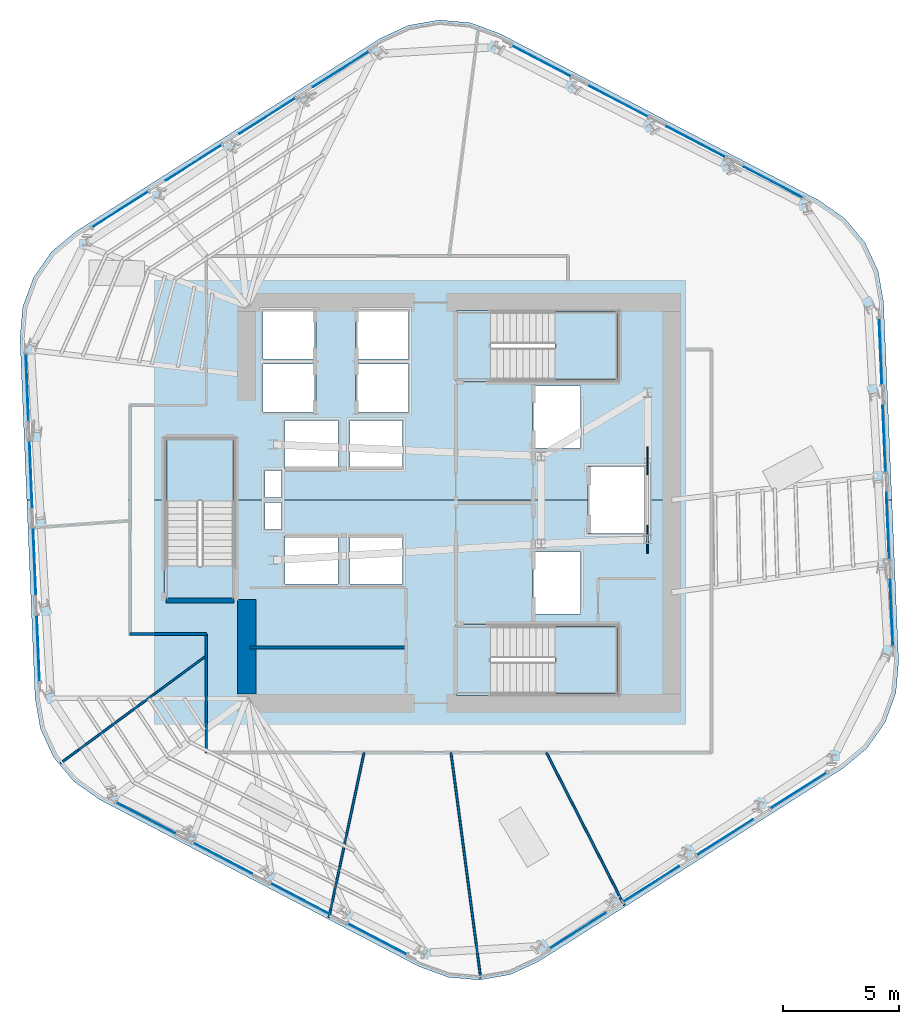
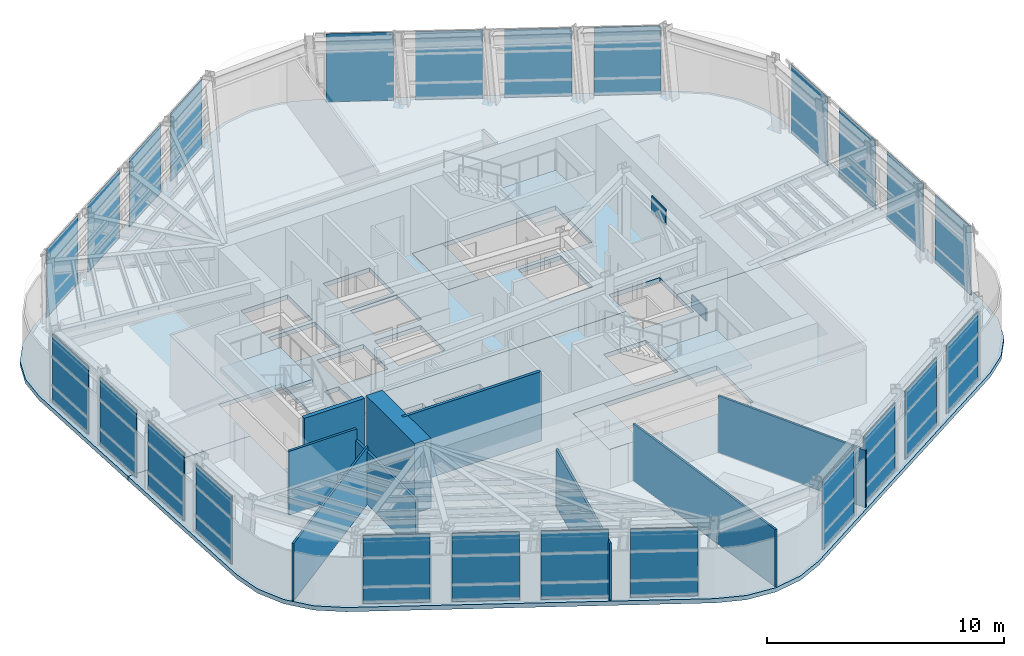
# One storey, part 7 of 15: 26 plates, 9 walls, 8 slabs, 9 elements without a shape of their own.
"""IFC4 building model written with IfcOpenShell, lengths in metres."""

from ifc_helpers import new_model, si_unit, direction, frame, frame_2d, origin, origin_2d, place, context, subcontext, project, spatial, polyline, rectangle, outline, extrude, material, layer, layer_set, type_object, element, aggregate, save


model = new_model("IFC4")

# Units and contexts
model_context = context("Model", 3, precision=1e-05, world=origin(), true_north=direction((0.0, 1.0)))
body_context = subcontext(model_context, "Body", "Model", "MODEL_VIEW")
ifc_project = project(units=[si_unit("LENGTHUNIT", "METRE"), si_unit("AREAUNIT", "SQUARE_METRE"), si_unit("VOLUMEUNIT", "CUBIC_METRE"), si_unit("PLANEANGLEUNIT", "RADIAN"), si_unit("MASSUNIT", "GRAM", prefix="KILO")], contexts=[model_context])

# Site, building, storey
site_placement = place(None, origin())
site = spatial("IfcSite", under=ifc_project, at=site_placement, CompositionType="ELEMENT")
building_placement = place(site_placement, origin())
building = spatial("IfcBuilding", under=site, at=building_placement, Name="Valkerne Bourse Tower", CompositionType="ELEMENT")
storey_placement = place(building_placement, frame((0.0, 0.0, 162.800048828125)))
storey = spatial("IfcBuildingStorey", under=building, at=storey_placement, Name="L41", CompositionType="ELEMENT", Elevation=162.800048828125)

# Curtain wall, plates
ifc_material_1 = material(Name="Aluminium AA 6063-T6", Category="aluminium")
ifc_layer_1 = layer(ifc_material_1, 0.235107421875)
ifc_layer_set_1 = layer_set([ifc_layer_1], Name="Aluminium AA 6063-T6")
curtain_wall_type = type_object("IfcCurtainWallType", Name="CW-03", PredefinedType="NOTDEFINED", material=ifc_layer_set_1)
curtain_wall_1_placement = place(storey_placement, origin())
curtain_wall_1 = element("IfcCurtainWall", 1, at=curtain_wall_1_placement, inside=storey, type_object=curtain_wall_type, Name="L41 Hexagonal Stick Curtain Wall Face 1", PredefinedType="NOTDEFINED")
ifc_material_2 = material(Name="Glass IGU Low-E Double Glazed", Category="glass")
ifc_layer_2 = layer(ifc_material_2, 0.031982421875)
ifc_layer_set_2 = layer_set([ifc_layer_2], Name="Glass IGU Low-E Double Glazed")
plate_type_1 = type_object("IfcPlateType", Name="CW-PNL-IGU-32", PredefinedType="CURTAIN_PANEL", material=ifc_layer_set_2)
plate_1_placement = place(storey_placement, frame((60.3759765625, 40.75927734375, 0.030029296875), z_axis=(0.0, 0.0, 1.0), x_axis=(-0.886198224571, 0.463306277495, 0.0)))
plate_1 = element("IfcPlate", 2, at=plate_1_placement, type_object=plate_type_1, Name="CW-L41-F1 Curtain Panel 00", PredefinedType="CURTAIN_PANEL", context=body_context, shape_type="SweptSolid", body=[
    extrude(rectangle(XDim=2.850830078125, YDim=0.031982421875, at=origin_2d()), origin(), (0.0, 0.0, 1.0), 3.52001953125),
])
plate_2_placement = place(storey_placement, frame((57.0341796875, 42.50634765625, 0.030029296875), z_axis=(0.0, 0.0, 1.0), x_axis=(-0.886203916653, 0.46329538969, 0.0)))
plate_2 = element("IfcPlate", 3, at=plate_2_placement, type_object=plate_type_1, Name="CW-L41-F1 Curtain Panel 01", PredefinedType="CURTAIN_PANEL", context=body_context, shape_type="SweptSolid", body=[
    extrude(rectangle(XDim=2.85107421875, YDim=0.031982421875, at=origin_2d()), origin(), (0.0, 0.0, 1.0), 3.52001953125),
])
plate_3_placement = place(storey_placement, frame((53.6923828125, 44.25341796875, 0.030029296875), z_axis=(0.0, 0.0, 1.0), x_axis=(-0.886203916653, 0.46329538969, 0.0)))
plate_3 = element("IfcPlate", 4, at=plate_3_placement, type_object=plate_type_1, Name="CW-L41-F1 Curtain Panel 02", PredefinedType="CURTAIN_PANEL", context=body_context, shape_type="SweptSolid", body=[
    extrude(rectangle(XDim=2.85107421875, YDim=0.031982421875, at=origin_2d()), origin(), (0.0, 0.0, 1.0), 3.52001953125),
])
plate_4_placement = place(storey_placement, frame((50.350341796875, 46.00048828125, 0.030029296875), z_axis=(0.0, 0.0, 1.0), x_axis=(-0.886203916653, 0.46329538969, 0.0)))
plate_4 = element("IfcPlate", 5, at=plate_4_placement, type_object=plate_type_1, Name="CW-L41-F1 Curtain Panel 03", PredefinedType="CURTAIN_PANEL", context=body_context, shape_type="SweptSolid", body=[
    extrude(rectangle(XDim=2.85107421875, YDim=0.031982421875, at=origin_2d()), origin(), (0.0, 0.0, 1.0), 3.52001953125),
])
aggregate(curtain_wall_1, [plate_1, plate_2, plate_3, plate_4])

curtain_wall_2_placement = place(storey_placement, origin())
curtain_wall_2 = element("IfcCurtainWall", 6, at=curtain_wall_2_placement, inside=storey, type_object=curtain_wall_type, Name="L41 Hexagonal Stick Curtain Wall Face 2", PredefinedType="NOTDEFINED")
plate_5_placement = place(storey_placement, frame((41.672119140625, 45.63671875, 0.030029296875), z_axis=(0.0, 0.0, 1.0), x_axis=(-0.844331265878, -0.535821531353, 0.0)))
plate_5 = element("IfcPlate", 7, at=plate_5_placement, type_object=plate_type_1, Name="CW-L41-F2 Curtain Panel 00", PredefinedType="CURTAIN_PANEL", context=body_context, shape_type="SweptSolid", body=[
    extrude(rectangle(XDim=2.85107421875, YDim=0.031982421875, at=origin_2d()), origin(), (0.0, 0.0, 1.0), 3.52001953125),
])
plate_6_placement = place(storey_placement, frame((38.488037109375, 43.6162109375, 0.030029296875), z_axis=(0.0, 0.0, 1.0), x_axis=(-0.844323652199, -0.535833528568, 0.0)))
plate_6 = element("IfcPlate", 8, at=plate_6_placement, type_object=plate_type_1, Name="CW-L41-F2 Curtain Panel 01", PredefinedType="CURTAIN_PANEL", context=body_context, shape_type="SweptSolid", body=[
    extrude(rectangle(XDim=2.85107421875, YDim=0.031982421875, at=origin_2d()), origin(), (0.0, 0.0, 1.0), 3.52001953125),
])
plate_7_placement = place(storey_placement, frame((35.30419921875, 41.595703125, 0.030029296875), z_axis=(0.0, 0.0, 1.0), x_axis=(-0.844331265878, -0.535821531353, 0.0)))
plate_7 = element("IfcPlate", 9, at=plate_7_placement, type_object=plate_type_1, Name="CW-L41-F2 Curtain Panel 02", PredefinedType="CURTAIN_PANEL", context=body_context, shape_type="SweptSolid", body=[
    extrude(rectangle(XDim=2.85107421875, YDim=0.031982421875, at=origin_2d()), origin(), (0.0, 0.0, 1.0), 3.52001953125),
])
plate_8_placement = place(storey_placement, frame((32.1201171875, 39.574951171875, 0.030029296875), z_axis=(0.0, 0.0, 1.0), x_axis=(-0.844331265878, -0.535821531353, 0.0)))
plate_8 = element("IfcPlate", 10, at=plate_8_placement, type_object=plate_type_1, Name="CW-L41-F2 Curtain Panel 03", PredefinedType="CURTAIN_PANEL", context=body_context, shape_type="SweptSolid", body=[
    extrude(rectangle(XDim=2.85107421875, YDim=0.031982421875, at=origin_2d()), origin(), (0.0, 0.0, 1.0), 3.52001953125),
])
aggregate(curtain_wall_2, [plate_5, plate_6, plate_7, plate_8])

curtain_wall_3_placement = place(storey_placement, origin())
curtain_wall_3 = element("IfcCurtainWall", 11, at=curtain_wall_3_placement, inside=storey, type_object=curtain_wall_type, Name="L41 Hexagonal Stick Curtain Wall Face 3", PredefinedType="NOTDEFINED")
plate_9_placement = place(storey_placement, frame((28.09619140625, 31.87744140625, 0.030029296875), z_axis=(0.0, 0.0, 1.0), x_axis=(0.041872101908, -0.999122978958, 0.0)))
plate_9 = element("IfcPlate", 12, at=plate_9_placement, type_object=plate_type_1, Name="CW-L41-F3 Curtain Panel 00", PredefinedType="CURTAIN_PANEL", context=body_context, shape_type="SweptSolid", body=[
    extrude(rectangle(XDim=2.85107421875, YDim=0.031982421875, at=origin_2d()), origin(), (0.0, 0.0, 1.0), 3.52001953125),
])
plate_10_placement = place(storey_placement, frame((28.25390625, 28.10986328125, 0.030029296875), z_axis=(0.0, 0.0, 1.0), x_axis=(0.041872101908, -0.999122978958, 0.0)))
plate_10 = element("IfcPlate", 13, at=plate_10_placement, type_object=plate_type_1, Name="CW-L41-F3 Curtain Panel 01", PredefinedType="CURTAIN_PANEL", context=body_context, shape_type="SweptSolid", body=[
    extrude(rectangle(XDim=2.85107421875, YDim=0.031982421875, at=origin_2d()), origin(), (0.0, 0.0, 1.0), 3.52001953125),
])
plate_11_placement = place(storey_placement, frame((28.411865234375, 24.342041015625, 0.030029296875), z_axis=(0.0, 0.0, 1.0), x_axis=(0.041872101908, -0.999122978958, 0.0)))
plate_11 = element("IfcPlate", 14, at=plate_11_placement, type_object=plate_type_1, Name="CW-L41-F3 Curtain Panel 02", PredefinedType="CURTAIN_PANEL", context=body_context, shape_type="SweptSolid", body=[
    extrude(rectangle(XDim=2.85107421875, YDim=0.031982421875, at=origin_2d()), origin(), (0.0, 0.0, 1.0), 3.52001953125),
])
plate_12_placement = place(storey_placement, frame((28.56982421875, 20.574462890625, 0.030029296875), z_axis=(0.0, 0.0, 1.0), x_axis=(0.04187321133, -0.999122932463, 0.0)))
plate_12 = element("IfcPlate", 15, at=plate_12_placement, type_object=plate_type_1, Name="CW-L41-F3 Curtain Panel 03", PredefinedType="CURTAIN_PANEL", context=body_context, shape_type="SweptSolid", body=[
    extrude(rectangle(XDim=2.850830078125, YDim=0.031982421875, at=origin_2d()), origin(), (0.0, 0.0, 1.0), 3.52001953125),
])
aggregate(curtain_wall_3, [plate_9, plate_10, plate_11, plate_12])

curtain_wall_4_placement = place(storey_placement, origin())
curtain_wall_4 = element("IfcCurtainWall", 16, at=curtain_wall_4_placement, inside=storey, type_object=curtain_wall_type, Name="L41 Hexagonal Stick Curtain Wall Face 4", PredefinedType="NOTDEFINED")
plate_13_placement = place(storey_placement, frame((33.22412109375, 13.24072265625, 0.030029296875), z_axis=(0.0, 0.0, 1.0), x_axis=(0.886198224571, -0.463306277495, 0.0)))
plate_13 = element("IfcPlate", 17, at=plate_13_placement, type_object=plate_type_1, Name="CW-L41-F4 Curtain Panel 00", PredefinedType="CURTAIN_PANEL", context=body_context, shape_type="SweptSolid", body=[
    extrude(rectangle(XDim=2.850830078125, YDim=0.031982421875, at=origin_2d()), origin(), (0.0, 0.0, 1.0), 3.52001953125),
])
plate_14_placement = place(storey_placement, frame((36.56591796875, 11.49365234375, 0.030029296875), z_axis=(0.0, 0.0, 1.0), x_axis=(0.886203916653, -0.46329538969, 0.0)))
plate_14 = element("IfcPlate", 18, at=plate_14_placement, type_object=plate_type_1, Name="CW-L41-F4 Curtain Panel 01", PredefinedType="CURTAIN_PANEL", context=body_context, shape_type="SweptSolid", body=[
    extrude(rectangle(XDim=2.85107421875, YDim=0.031982421875, at=origin_2d()), origin(), (0.0, 0.0, 1.0), 3.52001953125),
])
plate_15_placement = place(storey_placement, frame((39.90771484375, 9.74658203125, 0.030029296875), z_axis=(0.0, 0.0, 1.0), x_axis=(0.886203916653, -0.46329538969, 0.0)))
plate_15 = element("IfcPlate", 19, at=plate_15_placement, type_object=plate_type_1, Name="CW-L41-F4 Curtain Panel 02", PredefinedType="CURTAIN_PANEL", context=body_context, shape_type="SweptSolid", body=[
    extrude(rectangle(XDim=2.85107421875, YDim=0.031982421875, at=origin_2d()), origin(), (0.0, 0.0, 1.0), 3.52001953125),
])
plate_16_placement = place(storey_placement, frame((43.249755859375, 7.99951171875, 0.030029296875), z_axis=(0.0, 0.0, 1.0), x_axis=(0.886203916653, -0.46329538969, 0.0)))
plate_16 = element("IfcPlate", 20, at=plate_16_placement, type_object=plate_type_1, Name="CW-L41-F4 Curtain Panel 03", PredefinedType="CURTAIN_PANEL", context=body_context, shape_type="SweptSolid", body=[
    extrude(rectangle(XDim=2.85107421875, YDim=0.031982421875, at=origin_2d()), origin(), (0.0, 0.0, 1.0), 3.52001953125),
])
aggregate(curtain_wall_4, [plate_13, plate_14, plate_15, plate_16])

curtain_wall_5_placement = place(storey_placement, origin())
curtain_wall_5 = element("IfcCurtainWall", 21, at=curtain_wall_5_placement, inside=storey, type_object=curtain_wall_type, Name="L41 Hexagonal Stick Curtain Wall Face 5", PredefinedType="NOTDEFINED")
plate_17_placement = place(storey_placement, frame((51.927978515625, 8.36328125, 0.030029296875), z_axis=(0.0, 0.0, 1.0), x_axis=(0.844331265878, 0.535821531353, 0.0)))
plate_17 = element("IfcPlate", 22, at=plate_17_placement, type_object=plate_type_1, Name="CW-L41-F5 Curtain Panel 00", PredefinedType="CURTAIN_PANEL", context=body_context, shape_type="SweptSolid", body=[
    extrude(rectangle(XDim=2.85107421875, YDim=0.031982421875, at=origin_2d()), origin(), (0.0, 0.0, 1.0), 3.52001953125),
])
plate_18_placement = place(storey_placement, frame((55.11181640625, 10.3837890625, 0.030029296875), z_axis=(0.0, 0.0, 1.0), x_axis=(0.844323652199, 0.535833528568, 0.0)))
plate_18 = element("IfcPlate", 23, at=plate_18_placement, type_object=plate_type_1, Name="CW-L41-F5 Curtain Panel 01", PredefinedType="CURTAIN_PANEL", context=body_context, shape_type="SweptSolid", body=[
    extrude(rectangle(XDim=2.85107421875, YDim=0.031982421875, at=origin_2d()), origin(), (0.0, 0.0, 1.0), 3.52001953125),
])
plate_19_placement = place(storey_placement, frame((58.2958984375, 12.404541015625, 0.030029296875), z_axis=(0.0, 0.0, 1.0), x_axis=(0.844331265878, 0.535821531353, 0.0)))
plate_19 = element("IfcPlate", 24, at=plate_19_placement, type_object=plate_type_1, Name="CW-L41-F5 Curtain Panel 02", PredefinedType="CURTAIN_PANEL", context=body_context, shape_type="SweptSolid", body=[
    extrude(rectangle(XDim=2.85107421875, YDim=0.031982421875, at=origin_2d()), origin(), (0.0, 0.0, 1.0), 3.52001953125),
])
plate_20_placement = place(storey_placement, frame((61.479736328125, 14.425048828125, 0.030029296875), z_axis=(0.0, 0.0, 1.0), x_axis=(0.844331265878, 0.535821531353, 0.0)))
plate_20 = element("IfcPlate", 25, at=plate_20_placement, type_object=plate_type_1, Name="CW-L41-F5 Curtain Panel 03", PredefinedType="CURTAIN_PANEL", context=body_context, shape_type="SweptSolid", body=[
    extrude(rectangle(XDim=2.85107421875, YDim=0.031982421875, at=origin_2d()), origin(), (0.0, 0.0, 1.0), 3.52001953125),
])
aggregate(curtain_wall_5, [plate_17, plate_18, plate_19, plate_20])

curtain_wall_6_placement = place(storey_placement, origin())
curtain_wall_6 = element("IfcCurtainWall", 26, at=curtain_wall_6_placement, inside=storey, type_object=curtain_wall_type, Name="L41 Hexagonal Stick Curtain Wall Face 6", PredefinedType="NOTDEFINED")
plate_21_placement = place(storey_placement, frame((65.50390625, 22.12255859375, 0.030029296875), z_axis=(0.0, 0.0, 1.0), x_axis=(-0.041872101908, 0.999122978958, 0.0)))
plate_21 = element("IfcPlate", 27, at=plate_21_placement, type_object=plate_type_1, Name="CW-L41-F6 Curtain Panel 00", PredefinedType="CURTAIN_PANEL", context=body_context, shape_type="SweptSolid", body=[
    extrude(rectangle(XDim=2.85107421875, YDim=0.031982421875, at=origin_2d()), origin(), (0.0, 0.0, 1.0), 3.52001953125),
])
plate_22_placement = place(storey_placement, frame((65.345947265625, 25.89013671875, 0.030029296875), z_axis=(0.0, 0.0, 1.0), x_axis=(-0.041872101908, 0.999122978958, 0.0)))
plate_22 = element("IfcPlate", 28, at=plate_22_placement, type_object=plate_type_1, Name="CW-L41-F6 Curtain Panel 01", PredefinedType="CURTAIN_PANEL", context=body_context, shape_type="SweptSolid", body=[
    extrude(rectangle(XDim=2.85107421875, YDim=0.031982421875, at=origin_2d()), origin(), (0.0, 0.0, 1.0), 3.52001953125),
])
plate_23_placement = place(storey_placement, frame((65.18798828125, 29.657958984375, 0.030029296875), z_axis=(0.0, 0.0, 1.0), x_axis=(-0.041872101908, 0.999122978958, 0.0)))
plate_23 = element("IfcPlate", 29, at=plate_23_placement, type_object=plate_type_1, Name="CW-L41-F6 Curtain Panel 02", PredefinedType="CURTAIN_PANEL", context=body_context, shape_type="SweptSolid", body=[
    extrude(rectangle(XDim=2.85107421875, YDim=0.031982421875, at=origin_2d()), origin(), (0.0, 0.0, 1.0), 3.52001953125),
])
plate_24_placement = place(storey_placement, frame((65.030029296875, 33.425537109375, 0.030029296875), z_axis=(0.0, 0.0, 1.0), x_axis=(-0.04187321133, 0.999122932463, 0.0)))
plate_24 = element("IfcPlate", 30, at=plate_24_placement, type_object=plate_type_1, Name="CW-L41-F6 Curtain Panel 03", PredefinedType="CURTAIN_PANEL", context=body_context, shape_type="SweptSolid", body=[
    extrude(rectangle(XDim=2.850830078125, YDim=0.031982421875, at=origin_2d()), origin(), (0.0, 0.0, 1.0), 3.52001953125),
])
aggregate(curtain_wall_6, [plate_21, plate_22, plate_23, plate_24])

# Plates
ifc_material_3 = material(Name="Steel ASTM A572 Grade 50", Category="steel")
ifc_layer_3 = layer(ifc_material_3, 0.06005859375)
ifc_layer_set_3 = layer_set([ifc_layer_3], Name="Steel ASTM A572 Grade 50")
plate_type_2 = type_object("IfcPlateType", Name="PLT-GUS-60", PredefinedType="SHEET", material=ifc_layer_set_3)
for number, where, z_axis, x_axis, name in (
    (31, (54.949951171875, 25.300048828125, -0.18017578125), (0.0, 0.0, 1.0), (0.0, 1.0, 0.0), "L41 Brace Node Gusset Plate PLT-GUS-END-L41-398"),
    (32, (54.949951171875, 28.699951171875, 2.8740234375), (0.0, 0.0, 1.0), (0.0, 1.0, 0.0), "L41 Brace Node Gusset Plate PLT-GUS-END-L41-399"),
):
    element("IfcPlate", number, at=place(storey_placement, frame(where, z_axis=z_axis, x_axis=x_axis)), inside=storey, type_object=plate_type_2, Name=name, PredefinedType="SHEET", context=body_context, shape_type="SweptSolid", body=[
        extrude(rectangle(XDim=1.199951171875, YDim=0.06005859375, at=origin_2d()), origin(), (0.0, 0.0, 1.0), 0.800048828125),
    ])

# Slabs
ifc_material_4 = material(Name="Concrete C40/50", Category="concrete")
ifc_layer_4 = layer(ifc_material_4, 0.25)
ifc_layer_set_4 = layer_set([ifc_layer_4], Name="Concrete C40/50")
slab_type_1 = type_object("IfcSlabType", Name="SLB-RMP-LND-250", PredefinedType="LANDING", material=ifc_layer_set_4)
slab_1_placement = place(storey_placement, frame((0.0, 0.0, -0.219970703125)))
element("IfcSlab", 33, at=slab_1_placement, inside=storey, type_object=slab_type_1, Name="L41 ST-1 Floor Landing Slab", PredefinedType="LANDING", context=body_context, shape_type="SweptSolid", body=[
    extrude(outline(polyline([(46.669921875, 18.5400390625), (48.14990234375, 18.5400390625), (48.14990234375, 21.610107421875), (46.669921875, 21.610107421875), (46.669921875, 18.5400390625)])), origin(), (0.0, 0.0, 1.0), 0.219970703125),
])
slab_2_placement = place(storey_placement, frame((0.0, 0.0, -0.219970703125)))
element("IfcSlab", 34, at=slab_2_placement, inside=storey, type_object=slab_type_1, Name="L41 ST-2 Floor Landing Slab", PredefinedType="LANDING", context=body_context, shape_type="SweptSolid", body=[
    extrude(outline(polyline([(46.669921875, 32.139892578125), (48.14990234375, 32.139892578125), (48.14990234375, 35.2099609375), (46.669921875, 35.2099609375), (46.669921875, 32.139892578125)])), origin(), (0.0, 0.0, 1.0), 0.219970703125),
])
slab_3_placement = place(storey_placement, frame((0.0, 0.0, -0.219970703125)))
element("IfcSlab", 35, at=slab_3_placement, inside=storey, type_object=slab_type_1, Name="L41 ST-3 Floor Landing Slab", PredefinedType="LANDING", context=body_context, shape_type="SweptSolid", body=[
    extrude(outline(polyline([(37.110107421875, 22.669921875), (37.110107421875, 24.14990234375), (34.0400390625, 24.14990234375), (34.0400390625, 22.669921875), (37.110107421875, 22.669921875)])), origin(), (0.0, 0.0, 1.0), 0.219970703125),
])

# Stair, slab
stair_type = type_object("IfcStairType", Name="ST-CORE-1400", PredefinedType="HALF_TURN_STAIR", material=ifc_material_4)
stair_1_placement = place(storey_placement, origin())
stair_1 = element("IfcStair", 36, at=stair_1_placement, inside=storey, type_object=stair_type, Name="L41 ST-1", PredefinedType="HALF_TURN_STAIR")
ifc_layer_5 = layer(ifc_material_4, 0.179931640625)
ifc_layer_set_5 = layer_set([ifc_layer_5], Name="Concrete C40/50")
slab_type_2 = type_object("IfcSlabType", Name="SLB-ST-LND-180", PredefinedType="LANDING", material=ifc_layer_set_5)
slab_4_placement = place(storey_placement, frame((0.0, 0.0, 1.699951171875)))
slab_4 = element("IfcSlab", 37, at=slab_4_placement, type_object=slab_type_2, Name="ST-1 landing 1", PredefinedType="LANDING", context=body_context, shape_type="SweptSolid", body=[
    extrude(outline(polyline([(50.949951171875, 18.60009765625), (53.64990234375, 18.60009765625), (53.64990234375, 21.550048828125), (50.949951171875, 21.550048828125), (50.949951171875, 18.60009765625)])), origin(), (0.0, 0.0, 1.0), 0.199951171875),
])
aggregate(stair_1, [slab_4])

stair_2_placement = place(storey_placement, origin())
stair_2 = element("IfcStair", 38, at=stair_2_placement, inside=storey, type_object=stair_type, Name="L41 ST-2", PredefinedType="HALF_TURN_STAIR")
slab_5_placement = place(storey_placement, frame((0.0, 0.0, 1.699951171875)))
slab_5 = element("IfcSlab", 39, at=slab_5_placement, type_object=slab_type_2, Name="ST-2 landing 1", PredefinedType="LANDING", context=body_context, shape_type="SweptSolid", body=[
    extrude(outline(polyline([(50.949951171875, 32.199951171875), (53.64990234375, 32.199951171875), (53.64990234375, 35.14990234375), (50.949951171875, 35.14990234375), (50.949951171875, 32.199951171875)])), origin(), (0.0, 0.0, 1.0), 0.199951171875),
])
aggregate(stair_2, [slab_5])

stair_3_placement = place(storey_placement, origin())
stair_3 = element("IfcStair", 40, at=stair_3_placement, inside=storey, type_object=stair_type, Name="L41 ST-3", PredefinedType="HALF_TURN_STAIR")
slab_6_placement = place(storey_placement, frame((0.0, 0.0, 1.699951171875)))
slab_6 = element("IfcSlab", 41, at=slab_6_placement, type_object=slab_type_2, Name="ST-3 landing 1", PredefinedType="LANDING", context=body_context, shape_type="SweptSolid", body=[
    extrude(outline(polyline([(37.050048828125, 26.949951171875), (37.050048828125, 29.64990234375), (34.10009765625, 29.64990234375), (34.10009765625, 26.949951171875), (37.050048828125, 26.949951171875)])), origin(), (0.0, 0.0, 1.0), 0.199951171875),
])
aggregate(stair_3, [slab_6])

# Slabs
ifc_layer_6 = layer(ifc_material_4, 0.219970703125)
ifc_layer_set_6 = layer_set([ifc_layer_6], Name="Concrete C40/50")
slab_type_3 = type_object("IfcSlabType", Name="SLB-TOW-220", PredefinedType="FLOOR", material=ifc_layer_set_6)
slab_7_placement = place(storey_placement, frame((0.0, 0.0, -0.219970703125)))
element("IfcSlab", 42, at=slab_7_placement, inside=storey, type_object=slab_type_3, Name="L41 Hexagonal Composite Floor Slab S", PredefinedType="FLOOR", context=body_context, shape_type="SweptSolid", body=[
    extrude(outline(polyline([(65.695556640625, 18.640380859375), (65.22900390625, 17.365478515625), (64.448486328125, 16.2548828125), (63.406982421875, 15.384033203125), (50.239501953125, 7.027587890625), (49.008056640625, 6.4560546875), (47.6708984375, 6.22265625), (46.318603515625, 6.343505859375), (45.0439453125, 6.809814453125), (31.22314453125, 14.03515625), (30.112548828125, 14.81591796875), (29.24169921875, 15.857177734375), (28.670166015625, 17.08837890625), (28.436767578125, 18.42578125), (28.077392578125, 27.0), (34.034912109375, 27.0), (34.034912109375, 22.6650390625), (37.114990234375, 22.6650390625), (37.114990234375, 27.0), (52.360107421875, 27.0), (52.360107421875, 25.56005859375), (54.840087890625, 25.56005859375), (54.840087890625, 27.0), (65.522705078125, 27.0), (65.81640625, 19.992431640625), (65.695556640625, 18.640380859375)]), holes=[polyline([(41.5400390625, 25.43994140625), (39.260009765625, 25.43994140625), (39.260009765625, 23.360107421875), (41.5400390625, 23.360107421875), (41.5400390625, 25.43994140625)]), polyline([(44.340087890625, 25.43994140625), (42.06005859375, 25.43994140625), (42.06005859375, 23.360107421875), (44.340087890625, 23.360107421875), (44.340087890625, 25.43994140625)]), polyline([(39.10009765625, 26.89990234375), (38.3798828125, 26.89990234375), (38.3798828125, 25.72998046875), (39.10009765625, 25.72998046875), (39.10009765625, 26.89990234375)]), polyline([(53.675048828125, 21.614990234375), (46.6650390625, 21.614990234375), (46.6650390625, 18.534912109375), (53.675048828125, 18.534912109375), (53.675048828125, 21.614990234375)]), polyline([(52.0400390625, 24.739990234375), (49.9599609375, 24.739990234375), (49.9599609375, 22.06005859375), (52.0400390625, 22.06005859375), (52.0400390625, 24.739990234375)])]), origin(), (0.0, 0.0, 1.0), 0.219970703125),
])
slab_8_placement = place(storey_placement, frame((0.0, 0.0, -0.219970703125)))
element("IfcSlab", 43, at=slab_8_placement, inside=storey, type_object=slab_type_3, Name="L41 Hexagonal Composite Floor Slab N", PredefinedType="FLOOR", context=body_context, shape_type="SweptSolid", body=[
    extrude(outline(polyline([(27.78369140625, 34.007568359375), (27.904296875, 35.359619140625), (28.370849609375, 36.634521484375), (29.151611328125, 37.7451171875), (30.19287109375, 38.615966796875), (43.360595703125, 46.972412109375), (44.591796875, 47.5439453125), (45.92919921875, 47.77734375), (47.28125, 47.656494140625), (48.55615234375, 47.190185546875), (62.376953125, 39.96484375), (63.487548828125, 39.18408203125), (64.3583984375, 38.142822265625), (64.9296875, 36.91162109375), (65.1630859375, 35.57421875), (65.522705078125, 27.0), (54.840087890625, 27.0), (54.840087890625, 28.43994140625), (52.360107421875, 28.43994140625), (52.360107421875, 27.0), (37.114990234375, 27.0), (37.114990234375, 29.675048828125), (34.034912109375, 29.675048828125), (34.034912109375, 27.0), (28.077392578125, 27.0), (27.78369140625, 34.007568359375)]), holes=[polyline([(39.10009765625, 28.27001953125), (38.3798828125, 28.27001953125), (38.3798828125, 27.10009765625), (39.10009765625, 27.10009765625), (39.10009765625, 28.27001953125)]), polyline([(41.5400390625, 30.43994140625), (39.260009765625, 30.43994140625), (39.260009765625, 28.360107421875), (41.5400390625, 28.360107421875), (41.5400390625, 30.43994140625)]), polyline([(40.590087890625, 32.889892578125), (38.31005859375, 32.889892578125), (38.31005859375, 30.81005859375), (40.590087890625, 30.81005859375), (40.590087890625, 32.889892578125)]), polyline([(40.590087890625, 35.18994140625), (38.31005859375, 35.18994140625), (38.31005859375, 33.110107421875), (40.590087890625, 33.110107421875), (40.590087890625, 35.18994140625)]), polyline([(44.340087890625, 30.43994140625), (42.06005859375, 30.43994140625), (42.06005859375, 28.360107421875), (44.340087890625, 28.360107421875), (44.340087890625, 30.43994140625)]), polyline([(52.0400390625, 31.93994140625), (49.9599609375, 31.93994140625), (49.9599609375, 29.260009765625), (52.0400390625, 29.260009765625), (52.0400390625, 31.93994140625)]), polyline([(44.590087890625, 32.889892578125), (42.31005859375, 32.889892578125), (42.31005859375, 30.81005859375), (44.590087890625, 30.81005859375), (44.590087890625, 32.889892578125)]), polyline([(53.675048828125, 35.215087890625), (46.6650390625, 35.215087890625), (46.6650390625, 32.135009765625), (53.675048828125, 32.135009765625), (53.675048828125, 35.215087890625)]), polyline([(44.590087890625, 35.18994140625), (42.31005859375, 35.18994140625), (42.31005859375, 33.110107421875), (44.590087890625, 33.110107421875), (44.590087890625, 35.18994140625)])]), origin(), (0.0, 0.0, 1.0), 0.219970703125),
])

# Walls
ifc_material_5 = material(Name="Concrete C55/67", Category="concrete")
ifc_layer_7 = layer(ifc_material_5, 0.800048828125)
ifc_layer_set_7 = layer_set([ifc_layer_7], Name="Concrete C55/67")
wall_type_1 = type_object("IfcWallType", Name="W-CORE-800", PredefinedType="SHEAR", material=ifc_layer_set_7)
wall_1_placement = place(storey_placement, frame((37.60009765625, 18.60009765625, 0.0), z_axis=(0.0, 0.0, 1.0), x_axis=(0.0, 1.0, 0.0)))
element("IfcWall", 44, at=wall_1_placement, inside=storey, type_object=wall_type_1, Name="L41 Core Shear Wall WEST-S", PredefinedType="SHEAR", context=body_context, shape_type="SweptSolid", body=[
    extrude(rectangle(XDim=4.099853515625, YDim=0.800048828125, at=frame_2d((2.0498046875, 0.0))), origin(), (0.0, 0.0, 1.0), 3.579833984375),
])
ifc_material_6 = material(Name="Gypsum Board Steel-Stud Partition", Category="steel")
ifc_layer_8 = layer(ifc_material_6, 0.117919921875)
ifc_layer_set_8 = layer_set([ifc_layer_8], Name="Gypsum Board Steel-Stud Partition")
wall_type_2 = type_object("IfcWallType", Name="W-CORR-140", PredefinedType="PARTITIONING", material=ifc_layer_set_8)
wall_2_placement = place(storey_placement, frame((35.85009765625, 16.080078125, 0.0), z_axis=(0.0, 0.0, 1.0), x_axis=(0.0, 1.0, 0.0)))
element("IfcWall", 45, at=wall_2_placement, inside=storey, type_object=wall_type_2, Name="L41 Corridor Enclosure Wall", PredefinedType="PARTITIONING", context=body_context, shape_type="SweptSolid", body=[
    extrude(rectangle(XDim=5.119873046875, YDim=0.117919921875, at=frame_2d((2.56005859375, 0.0))), origin(), (0.0, 0.0, 1.0), 2.71142578125),
])
wall_3_placement = place(storey_placement, frame((35.85009765625, 21.199951171875, 0.0), z_axis=(0.0, 0.0, 1.0), x_axis=(-1.0, 0.0, 0.0)))
element("IfcWall", 46, at=wall_3_placement, inside=storey, type_object=wall_type_2, Name="L41 Corridor Enclosure Wall", PredefinedType="PARTITIONING", context=body_context, shape_type="SweptSolid", body=[
    extrude(rectangle(XDim=3.300048828125, YDim=0.117919921875, at=frame_2d((1.64990234375, 0.0))), origin(), (0.0, 0.0, 1.0), 3.280029296875),
])
ifc_layer_9 = layer(ifc_material_6, 0.092041015625)
ifc_layer_set_9 = layer_set([ifc_layer_9], Name="Gypsum Board Steel-Stud Partition")
wall_type_3 = type_object("IfcWallType", Name="W-PART-115", PredefinedType="PARTITIONING", material=ifc_layer_set_9)
wall_4_placement = place(storey_placement, frame((42.677734375, 16.074951171875, 0.0), z_axis=(0.0, 0.0, 1.0), x_axis=(-0.207894287118, -0.978151299843, 0.0)))
element("IfcWall", 47, at=wall_4_placement, inside=storey, type_object=wall_type_3, Name="L41 Suite Partition P01", PredefinedType="PARTITIONING", context=body_context, shape_type="SweptSolid", body=[
    extrude(rectangle(XDim=7.31396484375, YDim=0.092041015625, at=frame_2d((3.656982421875, 0.0))), origin(), (0.0, 0.0, 1.0), 2.942626953125),
])
wall_5_placement = place(storey_placement, frame((46.438232421875, 16.074951171875, 0.0), z_axis=(0.0, 0.0, 1.0), x_axis=(0.130541015228, -0.991442909775, 0.0)))
element("IfcWall", 48, at=wall_5_placement, inside=storey, type_object=wall_type_3, Name="L41 Suite Partition P02", PredefinedType="PARTITIONING", context=body_context, shape_type="SweptSolid", body=[
    extrude(rectangle(XDim=9.85595703125, YDim=0.092041015625, at=frame_2d((4.927978515625, 0.0))), origin(), (0.0, 0.0, 1.0), 2.942626953125),
])
wall_6_placement = place(storey_placement, frame((50.566650390625, 16.074951171875, 0.0), z_axis=(0.0, 0.0, 1.0), x_axis=(0.453985859916, -0.891008888281, 0.0)))
element("IfcWall", 49, at=wall_6_placement, inside=storey, type_object=wall_type_3, Name="L41 Suite Partition P03", PredefinedType="PARTITIONING", context=body_context, shape_type="SweptSolid", body=[
    extrude(rectangle(XDim=7.426513671875, YDim=0.092041015625, at=frame_2d((3.71337890625, 0.0))), origin(), (0.0, 0.0, 1.0), 2.942626953125),
])
wall_7_placement = place(storey_placement, frame((35.844970703125, 20.255615234375, 0.0), z_axis=(0.0, 0.0, 1.0), x_axis=(-0.805091877309, -0.59315012357, 0.0)))
element("IfcWall", 50, at=wall_7_placement, inside=storey, type_object=wall_type_3, Name="L41 Suite Partition P06", PredefinedType="PARTITIONING", context=body_context, shape_type="SweptSolid", body=[
    extrude(rectangle(XDim=7.83203125, YDim=0.092041015625, at=frame_2d((3.916015625, 0.0))), origin(), (0.0, 0.0, 1.0), 2.942626953125),
])
ifc_layer_10 = layer(ifc_material_4, 0.199951171875)
ifc_layer_set_10 = layer_set([ifc_layer_10], Name="Concrete C40/50")
wall_type_4 = type_object("IfcWallType", Name="W-SHF-200", PredefinedType="SHEAR", material=ifc_layer_set_10)
wall_8_placement = place(storey_placement, frame((34.10009765625, 22.64990234375, 0.0), z_axis=(0.0, 0.0, 1.0), x_axis=(1.0, 0.0, 0.0)))
element("IfcWall", 51, at=wall_8_placement, inside=storey, type_object=wall_type_4, Name="L41 Exit Stair ST-3 Structural Shaft Wall South", PredefinedType="SHEAR", context=body_context, shape_type="SweptSolid", body=[
    extrude(rectangle(XDim=2.949951171875, YDim=0.199951171875, at=frame_2d((1.47509765625, 0.0))), origin(), (0.0, 0.0, 1.0), 3.579833984375),
])
ifc_material_7 = material(Name="Moisture-Resistant Gypsum Partition", Category="gypsum")
ifc_layer_11 = layer(ifc_material_7, 0.139892578125)
ifc_layer_set_11 = layer_set([ifc_layer_11], Name="Moisture-Resistant Gypsum Partition")
wall_type_5 = type_object("IfcWallType", Name="W-WET-140", PredefinedType="PARTITIONING", material=ifc_layer_set_11)
wall_9_placement = place(storey_placement, frame((37.75, 20.610107421875, 0.0), z_axis=(0.0, 0.0, 1.0), x_axis=(1.0, 0.0, 0.0)))
element("IfcWall", 52, at=wall_9_placement, inside=storey, type_object=wall_type_5, Name="L41 LV7 Low-Bank Sub-Divider", PredefinedType="PARTITIONING", context=body_context, shape_type="SweptSolid", body=[
    extrude(rectangle(XDim=6.75, YDim=0.139892578125, at=frame_2d((3.375, 0.0))), origin(), (0.0, 0.0, 1.0), 3.579833984375),
])

save(model, "model.ifc")
